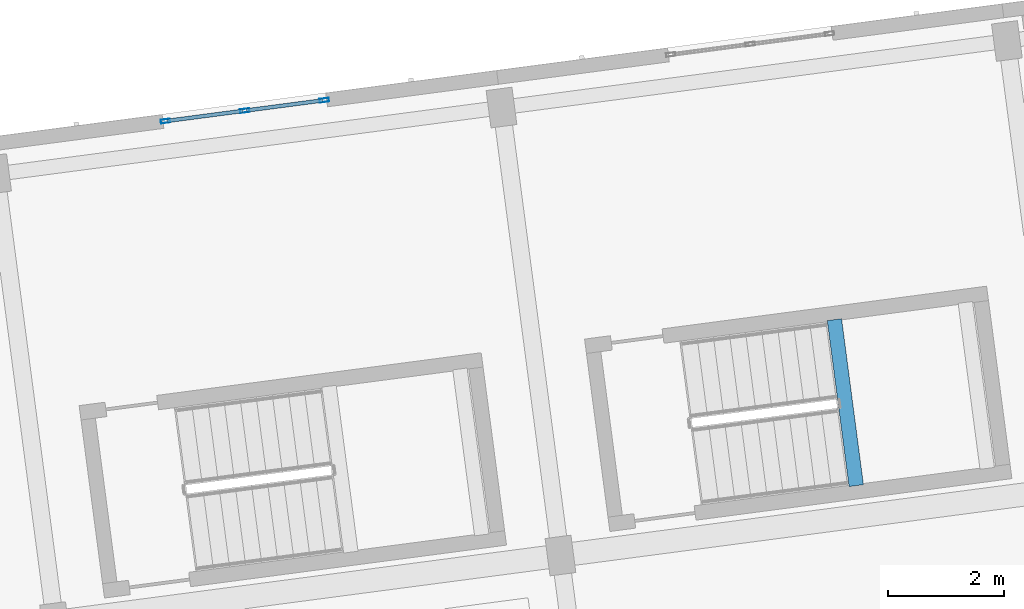
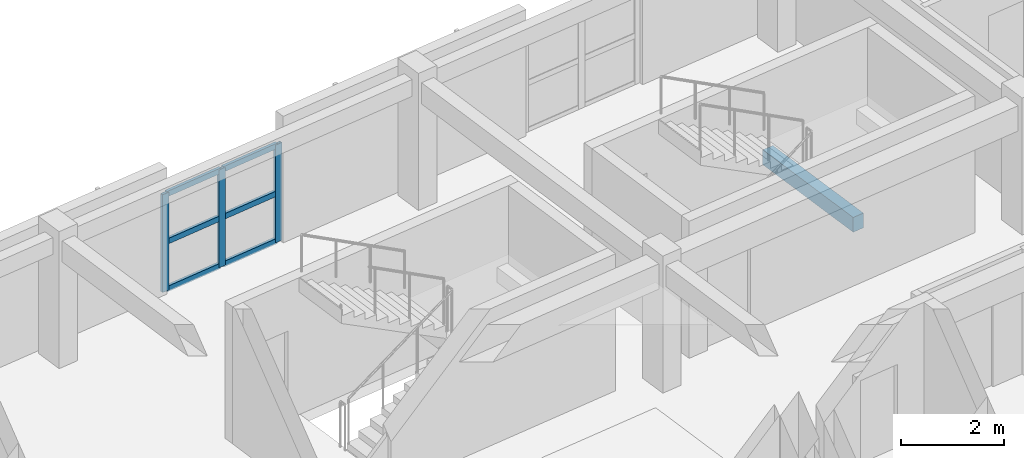
# One storey, part 4 of 45: 9 members, 1 beam, 1 element without a shape of its own.
"""IFC4 building model written with IfcOpenShell, lengths in metres."""

from ifc_helpers import new_model, si_unit, direction, frame, origin, origin_2d, place, context, subcontext, project, spatial, rectangle, hollow_rectangle, extrude, material, material_profile, profile_set, type_object, element, aggregate, save


model = new_model("IFC4")

# Units and contexts
model_context = context("Model", 3, precision=1e-05, world=origin(), true_north=direction((0.0, 1.0)))
body_context = subcontext(model_context, "Body", "Model", "MODEL_VIEW")
ifc_project = project(units=[si_unit("LENGTHUNIT", "METRE"), si_unit("AREAUNIT", "SQUARE_METRE"), si_unit("VOLUMEUNIT", "CUBIC_METRE"), si_unit("PLANEANGLEUNIT", "RADIAN"), si_unit("MASSUNIT", "GRAM", prefix="KILO")], contexts=[model_context])

# Site, building, storey
site_placement = place(None, origin())
site = spatial("IfcSite", under=ifc_project, at=site_placement, CompositionType="ELEMENT")
building_placement = place(site_placement, origin())
building = spatial("IfcBuilding", under=site, at=building_placement, Name="Kestramere Prow Commons", CompositionType="ELEMENT")
storey_placement = place(building_placement, frame((0.0, 0.0, 31.14990234375)))
storey = spatial("IfcBuildingStorey", under=building, at=storey_placement, Name="L09", CompositionType="ELEMENT", Elevation=31.14990234375)

# Beam
ifc_material_1 = material(Name="Concrete C40/50", Category="concrete")
ifc_material_profile_1 = material_profile(ifc_material_1, rectangle(XDim=0.25, YDim=0.35009765625, at=origin_2d()), Name="PC-BM 250x350")
ifc_profile_set_1 = profile_set([ifc_material_profile_1], Name="Concrete C40/50")
beam_type = type_object("IfcBeamType", Name="BM-ST-TRIM", PredefinedType="BEAM", material=ifc_profile_set_1)
beam_placement = place(storey_placement, frame((32.1630859375, 87.599609375, 1.25), z_axis=(-0.130509140242, 0.99144710616, 0.0), x_axis=(-0.99144710616, -0.130509140242, 0.0)))
element("IfcBeam", 1, at=beam_placement, inside=storey, type_object=beam_type, Name="ST-A2 L09 Landing Trimmer Beam 1A", PredefinedType="BEAM", context=body_context, shape_type="SweptSolid", body=[
    extrude(rectangle(XDim=0.25, YDim=0.35009765625, at=origin_2d()), origin(), (0.0, 0.0, 1.0), 2.89013671875),
])

# Curtain wall, members
ifc_material_2 = material(Name="Anodised Aluminium and Low-E Glass", Category="aluminium")
curtain_wall_type = type_object("IfcCurtainWallType", Name="CW-03 Glazed Curtain Wall 2830x2320", PredefinedType="USERDEFINED", material=ifc_material_2)
curtain_wall_placement = place(storey_placement, origin())
curtain_wall = element("IfcCurtainWall", 2, at=curtain_wall_placement, inside=storey, type_object=curtain_wall_type, Name="Block A L09 Stairwell Vertical Glazing 2", ObjectType="GLAZED CURTAIN WALL", PredefinedType="USERDEFINED")
ifc_material_3 = material(Name="Anodised Aluminium 6063-T6", Category="aluminium")
ifc_material_profile_2 = material_profile(ifc_material_3, hollow_rectangle(XDim=0.06494140625, YDim=0.159912109375, WallThickness=0.00390625, at=origin_2d()), Name="ALU-MUL 65x160")
ifc_profile_set_2 = profile_set([ifc_material_profile_2], Name="Anodised Aluminium 6063-T6")
member_type_1 = type_object("IfcMemberType", Name="CW-MUL-65x160", PredefinedType="MULLION", material=ifc_profile_set_2)
member_1_placement = place(storey_placement, frame((20.2373046875, 93.891845703125, 0.0), z_axis=(0.0, 0.0, 1.0), x_axis=(-0.13052614723, 0.991444867297, 0.0)))
member_1 = element("IfcMember", 3, at=member_1_placement, type_object=member_type_1, Name="CW-03 mullion 1", PredefinedType="MULLION", context=body_context, shape_type="SweptSolid", body=[
    extrude(hollow_rectangle(XDim=0.06494140625, YDim=0.159912109375, WallThickness=0.00390625, at=origin_2d()), origin(), (0.0, 0.0, 1.0), 2.320068359375),
])
member_2_placement = place(storey_placement, frame((21.60791015625, 94.072265625, 0.0), z_axis=(0.0, 0.0, 1.0), x_axis=(-0.13052614723, 0.991444867297, 0.0)))
member_2 = element("IfcMember", 4, at=member_2_placement, type_object=member_type_1, Name="CW-03 mullion 2", PredefinedType="MULLION", context=body_context, shape_type="SweptSolid", body=[
    extrude(hollow_rectangle(XDim=0.06494140625, YDim=0.159912109375, WallThickness=0.00390625, at=origin_2d()), origin(), (0.0, 0.0, 1.0), 2.320068359375),
])
member_3_placement = place(storey_placement, frame((22.978759765625, 94.252685546875, 0.0), z_axis=(0.0, 0.0, 1.0), x_axis=(-0.13052614723, 0.991444867297, 0.0)))
member_3 = element("IfcMember", 5, at=member_3_placement, type_object=member_type_1, Name="CW-03 mullion 3", PredefinedType="MULLION", context=body_context, shape_type="SweptSolid", body=[
    extrude(hollow_rectangle(XDim=0.06494140625, YDim=0.159912109375, WallThickness=0.00390625, at=origin_2d()), origin(), (0.0, 0.0, 1.0), 2.320068359375),
])
ifc_material_profile_3 = material_profile(ifc_material_3, hollow_rectangle(XDim=0.06494140625, YDim=0.1298828125, WallThickness=0.00390625, at=origin_2d()), Name="ALU-TRN 65x130")
ifc_profile_set_3 = profile_set([ifc_material_profile_3], Name="Anodised Aluminium 6063-T6")
member_type_2 = type_object("IfcMemberType", Name="CW-TRN-65x130", PredefinedType="USERDEFINED", material=ifc_profile_set_3)
member_4_placement = place(storey_placement, frame((20.26953125, 93.896240234375, 0.03271484375), z_axis=(0.991453033969, 0.130464100171, 0.0), x_axis=(-0.130464100171, 0.991453033969, 0.0)))
member_4 = element("IfcMember", 6, at=member_4_placement, type_object=member_type_2, Name="CW-03 transom 1.1", ObjectType="TRANSOM", PredefinedType="USERDEFINED", context=body_context, shape_type="SweptSolid", body=[
    extrude(hollow_rectangle(XDim=0.06494140625, YDim=0.1298828125, WallThickness=0.00390625, at=origin_2d()), origin(), (0.0, 0.0, 1.0), 1.3173828125),
])
member_5_placement = place(storey_placement, frame((20.26953125, 93.896240234375, 1.16015625), z_axis=(0.991453033969, 0.130464100171, 0.0), x_axis=(-0.130464100171, 0.991453033969, 0.0)))
member_5 = element("IfcMember", 7, at=member_5_placement, type_object=member_type_2, Name="CW-03 transom 1.2", ObjectType="TRANSOM", PredefinedType="USERDEFINED", context=body_context, shape_type="SweptSolid", body=[
    extrude(hollow_rectangle(XDim=0.06494140625, YDim=0.1298828125, WallThickness=0.00390625, at=origin_2d()), origin(), (0.0, 0.0, 1.0), 1.3173828125),
])
member_6_placement = place(storey_placement, frame((20.26953125, 93.896240234375, 2.28759765625), z_axis=(0.991453033969, 0.130464100171, 0.0), x_axis=(-0.130464100171, 0.991453033969, 0.0)))
member_6 = element("IfcMember", 8, at=member_6_placement, type_object=member_type_2, Name="CW-03 transom 1.3", ObjectType="TRANSOM", PredefinedType="USERDEFINED", context=body_context, shape_type="SweptSolid", body=[
    extrude(hollow_rectangle(XDim=0.06494140625, YDim=0.1298828125, WallThickness=0.00390625, at=origin_2d()), origin(), (0.0, 0.0, 1.0), 1.3173828125),
])
member_7_placement = place(storey_placement, frame((21.64013671875, 94.07666015625, 0.03271484375), z_axis=(0.991456187381, 0.130440133791, 0.0), x_axis=(-0.130440133791, 0.991456187381, 0.0)))
member_7 = element("IfcMember", 9, at=member_7_placement, type_object=member_type_2, Name="CW-03 transom 2.1", ObjectType="TRANSOM", PredefinedType="USERDEFINED", context=body_context, shape_type="SweptSolid", body=[
    extrude(hollow_rectangle(XDim=0.06494140625, YDim=0.1298828125, WallThickness=0.00390625, at=origin_2d()), origin(), (0.0, 0.0, 1.0), 1.317626953125),
])
member_8_placement = place(storey_placement, frame((21.64013671875, 94.07666015625, 1.16015625), z_axis=(0.991456187381, 0.130440133791, 0.0), x_axis=(-0.130440133791, 0.991456187381, 0.0)))
member_8 = element("IfcMember", 10, at=member_8_placement, type_object=member_type_2, Name="CW-03 transom 2.2", ObjectType="TRANSOM", PredefinedType="USERDEFINED", context=body_context, shape_type="SweptSolid", body=[
    extrude(hollow_rectangle(XDim=0.06494140625, YDim=0.1298828125, WallThickness=0.00390625, at=origin_2d()), origin(), (0.0, 0.0, 1.0), 1.317626953125),
])
member_9_placement = place(storey_placement, frame((21.64013671875, 94.07666015625, 2.28759765625), z_axis=(0.991456187381, 0.130440133791, 0.0), x_axis=(-0.130440133791, 0.991456187381, 0.0)))
member_9 = element("IfcMember", 11, at=member_9_placement, type_object=member_type_2, Name="CW-03 transom 2.3", ObjectType="TRANSOM", PredefinedType="USERDEFINED", context=body_context, shape_type="SweptSolid", body=[
    extrude(hollow_rectangle(XDim=0.06494140625, YDim=0.1298828125, WallThickness=0.00390625, at=origin_2d()), origin(), (0.0, 0.0, 1.0), 1.317626953125),
])
aggregate(curtain_wall, [member_1, member_2, member_3, member_4, member_5, member_6, member_7, member_8, member_9])

save(model, "model.ifc")
